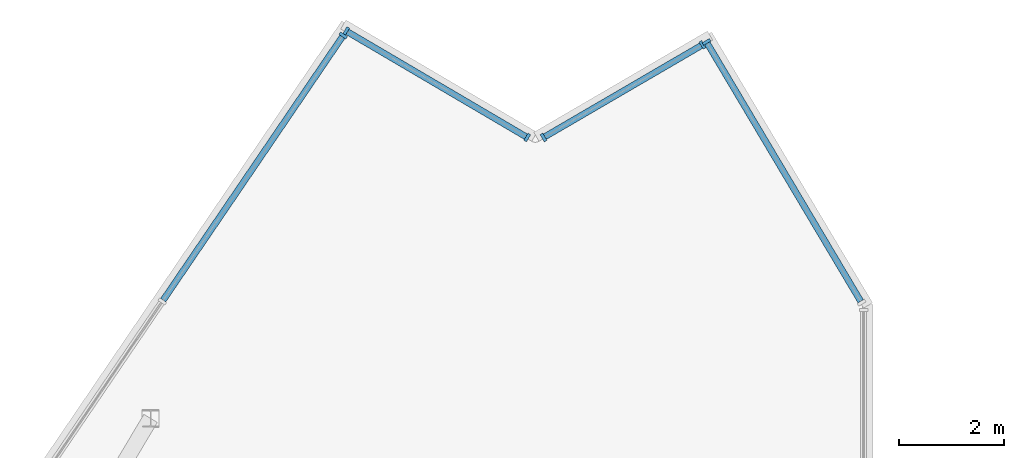
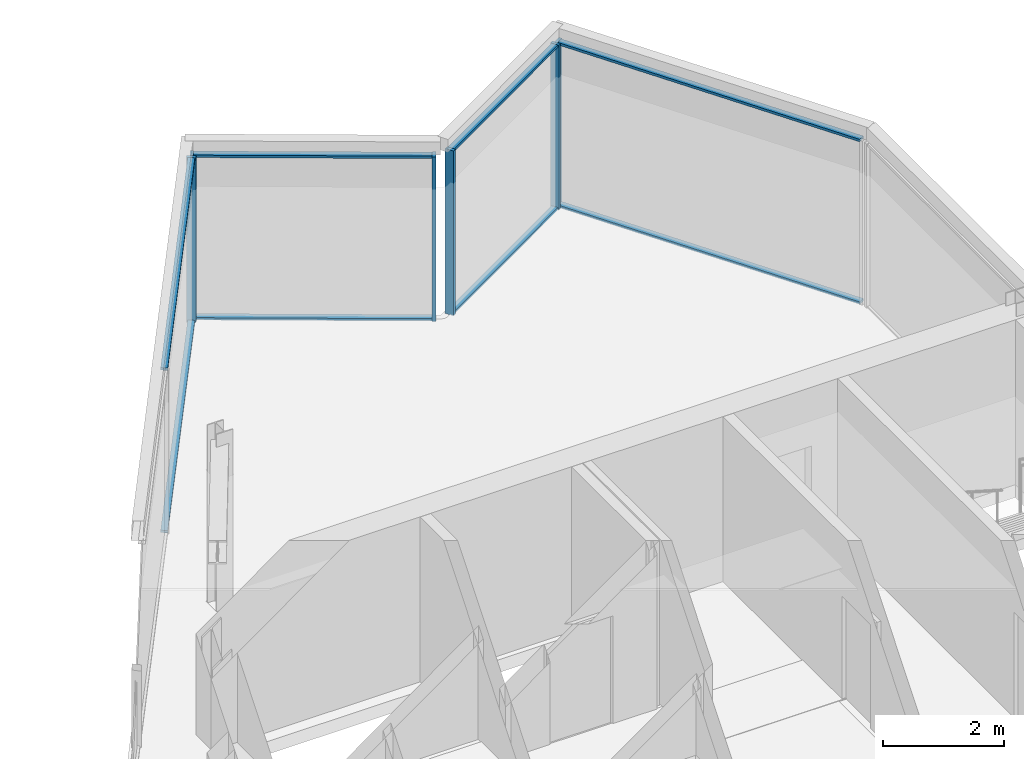
# One storey, part 7 of 15: 14 members, 4 elements without a shape of their own.
"""IFC4 building model written with IfcOpenShell, lengths in metres."""

from ifc_helpers import new_model, si_unit, direction, frame, origin, origin_2d, place, context, subcontext, project, spatial, rectangle, extrude, material, material_profile, profile_set, type_object, element, aggregate, save


model = new_model("IFC4")

# Units and contexts
model_context = context("Model", 3, precision=1e-05, world=origin(), true_north=direction((0.0, 1.0)))
body_context = subcontext(model_context, "Body", "Model", "MODEL_VIEW")
ifc_project = project(units=[si_unit("LENGTHUNIT", "METRE"), si_unit("AREAUNIT", "SQUARE_METRE"), si_unit("VOLUMEUNIT", "CUBIC_METRE"), si_unit("PLANEANGLEUNIT", "RADIAN"), si_unit("MASSUNIT", "GRAM", prefix="KILO")], contexts=[model_context])

# Site, building, storey
site_placement = place(None, origin())
site = spatial("IfcSite", under=ifc_project, at=site_placement, CompositionType="ELEMENT")
building_placement = place(site_placement, origin())
building = spatial("IfcBuilding", under=site, at=building_placement, Name="Savorim Split Tower", CompositionType="ELEMENT")
storey_placement = place(building_placement, frame((0.0, 0.0, 308.39990234375)))
storey = spatial("IfcBuildingStorey", under=building, at=storey_placement, Name="Crown L82 Plant", CompositionType="ELEMENT", Elevation=308.39990234375)

# Curtain wall, member
ifc_material_1 = material(Name="Dark Ceramic-Fritted Insulated Glass", Category="glass")
curtain_wall_type = type_object("IfcCurtainWallType", Name="CW-CROWN-CREST", PredefinedType="NOTDEFINED", material=ifc_material_1)
curtain_wall_1_placement = place(storey_placement, origin())
curtain_wall_1 = element("IfcCurtainWall", 1, at=curtain_wall_1_placement, inside=storey, type_object=curtain_wall_type, Name="Crown L82 Plant Curtain Wall CW-Crown-L82-Plant-W2A", PredefinedType="NOTDEFINED")
ifc_material_2 = material(Name="Charcoal Anodised Aluminium", Category="aluminium")
ifc_material_profile_1 = material_profile(ifc_material_2, rectangle(XDim=0.159912109375, YDim=0.06005859375, at=origin_2d()), Name="ALU-M 160x60")
ifc_profile_set_1 = profile_set([ifc_material_profile_1], Name="Charcoal Anodised Aluminium")
member_type_1 = type_object("IfcMemberType", Name="CWM-160x60", PredefinedType="MULLION", material=ifc_profile_set_1)
member_1_placement = place(storey_placement, frame((4.925048828125, 20.744384765625, 0.0), z_axis=(0.0, 0.0, 1.0), x_axis=(-0.859522521915, -0.511097871568, 0.0)))
member_1 = element("IfcMember", 2, at=member_1_placement, type_object=member_type_1, Name="CW-07 mullion 2", PredefinedType="MULLION", context=body_context, shape_type="SweptSolid", body=[
    extrude(rectangle(XDim=0.159912109375, YDim=0.06005859375, at=origin_2d()), origin(), (0.0, 0.0, 1.0), 3.340087890625),
])

# Curtain wall, members
curtain_wall_2_placement = place(storey_placement, origin())
curtain_wall_2 = element("IfcCurtainWall", 3, at=curtain_wall_2_placement, inside=storey, type_object=curtain_wall_type, Name="Crown L82 Plant Curtain Wall CW-Crown-L82-Plant-W3A", PredefinedType="NOTDEFINED")
member_2_placement = place(storey_placement, frame((4.8466796875, 20.688232421875, 0.0), z_axis=(0.0, 0.0, 1.0), x_axis=(0.503526967558, -0.863979509561, 0.0)))
member_2 = element("IfcMember", 4, at=member_2_placement, type_object=member_type_1, Name="CW-07 mullion 1", PredefinedType="MULLION", context=body_context, shape_type="SweptSolid", body=[
    extrude(rectangle(XDim=0.159912109375, YDim=0.06005859375, at=origin_2d()), origin(), (0.0, 0.0, 1.0), 3.340087890625),
])
member_3_placement = place(storey_placement, frame((1.806640625, 18.91650390625, 0.0), z_axis=(0.0, 0.0, 1.0), x_axis=(0.503526967558, -0.863979509561, 0.0)))
member_3 = element("IfcMember", 5, at=member_3_placement, type_object=member_type_1, Name="CW-07 mullion 2", PredefinedType="MULLION", context=body_context, shape_type="SweptSolid", body=[
    extrude(rectangle(XDim=0.159912109375, YDim=0.06005859375, at=origin_2d()), origin(), (0.0, 0.0, 1.0), 3.340087890625),
])

curtain_wall_3_placement = place(storey_placement, origin())
curtain_wall_3 = element("IfcCurtainWall", 6, at=curtain_wall_3_placement, inside=storey, type_object=curtain_wall_type, Name="Crown L82 Plant Curtain Wall CW-Crown-L82-Plant-W4A", PredefinedType="NOTDEFINED")
member_4_placement = place(storey_placement, frame((1.49560546875, 18.9169921875, 0.0), z_axis=(0.0, 0.0, 1.0), x_axis=(-0.506705097849, -0.862119448693, 0.0)))
member_4 = element("IfcMember", 7, at=member_4_placement, type_object=member_type_1, Name="CW-07 mullion 1", PredefinedType="MULLION", context=body_context, shape_type="SweptSolid", body=[
    extrude(rectangle(XDim=0.159912109375, YDim=0.06005859375, at=origin_2d()), origin(), (0.0, 0.0, 1.0), 3.340087890625),
])
member_5_placement = place(storey_placement, frame((-1.96923828125, 20.95361328125, 0.0), z_axis=(0.0, 0.0, 1.0), x_axis=(-0.506705097849, -0.862119448693, 0.0)))
member_5 = element("IfcMember", 8, at=member_5_placement, type_object=member_type_1, Name="CW-07 mullion 2", PredefinedType="MULLION", context=body_context, shape_type="SweptSolid", body=[
    extrude(rectangle(XDim=0.159912109375, YDim=0.06005859375, at=origin_2d()), origin(), (0.0, 0.0, 1.0), 3.340087890625),
])

# Curtain wall, member
curtain_wall_4_placement = place(storey_placement, origin())
curtain_wall_4 = element("IfcCurtainWall", 9, at=curtain_wall_4_placement, inside=storey, type_object=curtain_wall_type, Name="Crown L82 Plant Curtain Wall CW-Crown-L82-Plant-W5A", PredefinedType="NOTDEFINED")
member_6_placement = place(storey_placement, frame((-2.025146484375, 20.867431640625, 0.0), z_axis=(0.0, 0.0, 1.0), x_axis=(0.826820209183, -0.562466302712, 0.0)))
member_6 = element("IfcMember", 10, at=member_6_placement, type_object=member_type_1, Name="CW-07 mullion 1", PredefinedType="MULLION", context=body_context, shape_type="SweptSolid", body=[
    extrude(rectangle(XDim=0.159912109375, YDim=0.06005859375, at=origin_2d()), origin(), (0.0, 0.0, 1.0), 3.340087890625),
])

# Member
ifc_material_profile_2 = material_profile(ifc_material_2, rectangle(XDim=0.1201171875, YDim=0.050048828125, at=origin_2d()), Name="ALU-T 120x50")
ifc_profile_set_2 = profile_set([ifc_material_profile_2], Name="Charcoal Anodised Aluminium")
member_type_2 = type_object("IfcMemberType", Name="CWT-120x50", PredefinedType="USERDEFINED", material=ifc_profile_set_2)
member_7_placement = place(storey_placement, frame((7.875244140625, 15.782470703125, 0.025146484375), z_axis=(-0.51109067268, 0.859526802549, 0.0), x_axis=(-0.859526802549, -0.51109067268, 0.0)))
member_7 = element("IfcMember", 11, at=member_7_placement, type_object=member_type_2, Name="CW-07 transom 1.1", ObjectType="TRANSOM", PredefinedType="USERDEFINED", context=body_context, shape_type="SweptSolid", body=[
    extrude(rectangle(XDim=0.1201171875, YDim=0.050048828125, at=origin_2d()), origin(), (0.0, 0.0, 1.0), 5.74267578125),
])

member_8_placement = place(storey_placement, frame((7.875244140625, 15.782470703125, 3.315185546875), z_axis=(-0.51109067268, 0.859526802549, 0.0), x_axis=(-0.859526802549, -0.51109067268, 0.0)))
member_8 = element("IfcMember", 12, at=member_8_placement, type_object=member_type_2, Name="CW-07 transom 1.2", ObjectType="TRANSOM", PredefinedType="USERDEFINED", context=body_context, shape_type="SweptSolid", body=[
    extrude(rectangle(XDim=0.1201171875, YDim=0.050048828125, at=origin_2d()), origin(), (0.0, 0.0, 1.0), 5.74267578125),
])

aggregate(curtain_wall_1, [member_1, member_7, member_8])

member_9_placement = place(storey_placement, frame((4.820556640625, 20.673095703125, 0.025146484375), z_axis=(-0.863975980428, -0.503533022992, 0.0), x_axis=(0.503533022992, -0.863975980428, 0.0)))
member_9 = element("IfcMember", 13, at=member_9_placement, type_object=member_type_2, Name="CW-07 transom 1.1", ObjectType="TRANSOM", PredefinedType="USERDEFINED", context=body_context, shape_type="SweptSolid", body=[
    extrude(rectangle(XDim=0.1201171875, YDim=0.050048828125, at=origin_2d()), origin(), (0.0, 0.0, 1.0), 3.45849609375),
])

member_10_placement = place(storey_placement, frame((4.820556640625, 20.673095703125, 3.315185546875), z_axis=(-0.863975980428, -0.503533022992, 0.0), x_axis=(0.503533022992, -0.863975980428, 0.0)))
member_10 = element("IfcMember", 14, at=member_10_placement, type_object=member_type_2, Name="CW-07 transom 1.2", ObjectType="TRANSOM", PredefinedType="USERDEFINED", context=body_context, shape_type="SweptSolid", body=[
    extrude(rectangle(XDim=0.1201171875, YDim=0.050048828125, at=origin_2d()), origin(), (0.0, 0.0, 1.0), 3.45849609375),
])

aggregate(curtain_wall_2, [member_2, member_3, member_9, member_10])

member_11_placement = place(storey_placement, frame((1.4697265625, 18.932373046875, 0.025146484375), z_axis=(-0.862137068304, 0.506675118253, 0.0), x_axis=(-0.506675118253, -0.862137068304, 0.0)))
member_11 = element("IfcMember", 15, at=member_11_placement, type_object=member_type_2, Name="CW-07 transom 1.1", ObjectType="TRANSOM", PredefinedType="USERDEFINED", context=body_context, shape_type="SweptSolid", body=[
    extrude(rectangle(XDim=0.1201171875, YDim=0.050048828125, at=origin_2d()), origin(), (0.0, 0.0, 1.0), 3.958984375),
])

member_12_placement = place(storey_placement, frame((1.4697265625, 18.932373046875, 3.315185546875), z_axis=(-0.862137068304, 0.506675118253, 0.0), x_axis=(-0.506675118253, -0.862137068304, 0.0)))
member_12 = element("IfcMember", 16, at=member_12_placement, type_object=member_type_2, Name="CW-07 transom 1.2", ObjectType="TRANSOM", PredefinedType="USERDEFINED", context=body_context, shape_type="SweptSolid", body=[
    extrude(rectangle(XDim=0.1201171875, YDim=0.050048828125, at=origin_2d()), origin(), (0.0, 0.0, 1.0), 3.958984375),
])

aggregate(curtain_wall_3, [member_4, member_5, member_11, member_12])

member_13_placement = place(storey_placement, frame((-2.0419921875, 20.8427734375, 0.025146484375), z_axis=(-0.562470007154, -0.826817689126, 0.0), x_axis=(0.826817689126, -0.562470007154, 0.0)))
member_13 = element("IfcMember", 17, at=member_13_placement, type_object=member_type_2, Name="CW-07 transom 1.1", ObjectType="TRANSOM", PredefinedType="USERDEFINED", context=body_context, shape_type="SweptSolid", body=[
    extrude(rectangle(XDim=0.1201171875, YDim=0.050048828125, at=origin_2d()), origin(), (0.0, 0.0, 1.0), 6.09375),
])

member_14_placement = place(storey_placement, frame((-2.0419921875, 20.8427734375, 3.315185546875), z_axis=(-0.562470007154, -0.826817689126, 0.0), x_axis=(0.826817689126, -0.562470007154, 0.0)))
member_14 = element("IfcMember", 18, at=member_14_placement, type_object=member_type_2, Name="CW-07 transom 1.2", ObjectType="TRANSOM", PredefinedType="USERDEFINED", context=body_context, shape_type="SweptSolid", body=[
    extrude(rectangle(XDim=0.1201171875, YDim=0.050048828125, at=origin_2d()), origin(), (0.0, 0.0, 1.0), 6.09375),
])

aggregate(curtain_wall_4, [member_6, member_13, member_14])

save(model, "model.ifc")
